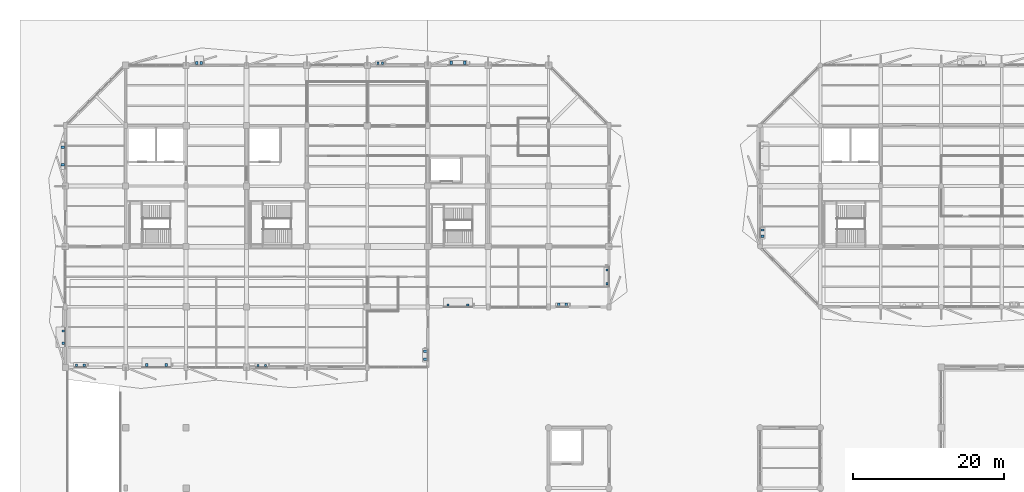
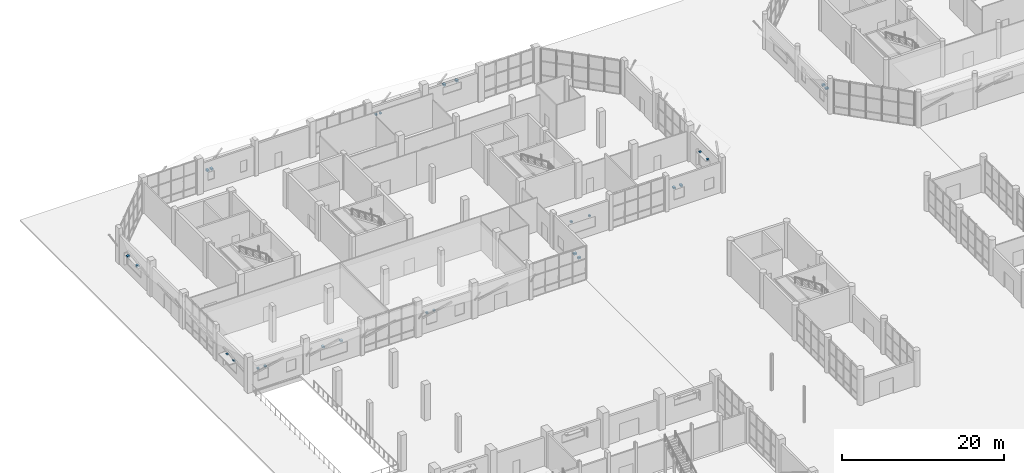
# One storey, part 110 of 123: 26 discrete accessories.
"""IFC4 building model written with IfcOpenShell, lengths in metres."""

from ifc_helpers import new_model, si_unit, direction, frame, origin, origin_2d, place, context, subcontext, project, spatial, rectangle, extrude, material, type_object, element, save


model = new_model("IFC4")

# Units and contexts
model_context = context("Model", 3, precision=1e-05, world=origin(), true_north=direction((0.0, 1.0)))
body_context = subcontext(model_context, "Body", "Model", "MODEL_VIEW")
ifc_project = project(units=[si_unit("LENGTHUNIT", "METRE"), si_unit("AREAUNIT", "SQUARE_METRE"), si_unit("VOLUMEUNIT", "CUBIC_METRE"), si_unit("PLANEANGLEUNIT", "RADIAN"), si_unit("MASSUNIT", "GRAM", prefix="KILO")], contexts=[model_context])

# Site, building, storey
site_placement = place(None, origin())
site = spatial("IfcSite", under=ifc_project, at=site_placement, CompositionType="ELEMENT")
building_placement = place(site_placement, origin())
building = spatial("IfcBuilding", under=site, at=building_placement, Name="Tenunan Teduh Sports Hall", CompositionType="ELEMENT")
storey_placement = place(building_placement, origin())
storey = spatial("IfcBuildingStorey", under=building, at=storey_placement, Name="L00", CompositionType="ELEMENT", Elevation=0.0)

# Discrete accessories
ifc_material_1 = material(Name="Steel S355", Category="steel")
discrete_accessory_type_1 = type_object("IfcDiscreteAccessoryType", Name="BRK-SHD-1", PredefinedType="BRACKET", material=ifc_material_1)
for number, where, z_axis, x_axis, name in (
    (1, (7.489990234375, 78.27490234375, 2.64990234375), (0.0, 0.0, 1.0), (1.0, 0.0, 0.0), "BRK-L00-010-1"),
    (2, (8.510009765625, 78.27490234375, 2.64990234375), (0.0, 0.0, 1.0), (1.0, 0.0, 0.0), "BRK-L00-010-2"),
    (3, (31.514892578125, 78.2548828125, 2.64990234375), (0.0, 0.0, 1.0), (1.0, 0.0, 0.0), "BRK-L00-012-1"),
    (4, (32.534912109375, 78.2548828125, 2.64990234375), (0.0, 0.0, 1.0), (1.0, 0.0, 0.0), "BRK-L00-012-2"),
    (5, (56.7080078125, 86.27001953125, 2.64990234375), (0.0, 0.0, 1.0), (1.0, 0.0, 0.0), "BRK-L00-014-1"),
    (6, (59.2919921875, 86.27001953125, 2.64990234375), (0.0, 0.0, 1.0), (1.0, 0.0, 0.0), "BRK-L00-014-2"),
    (7, (77.72998046875, 89.072021484375, 2.9501953125), (0.0, 0.0, 1.0), (0.0, 1.0, 0.0), "BRK-L00-016-1"),
    (8, (77.72998046875, 90.907958984375, 2.9501953125), (0.0, 0.0, 1.0), (0.0, 1.0, 0.0), "BRK-L00-016-2"),
    (9, (47.39404296875, 118.27490234375, 2.64990234375), (0.0, 0.0, 1.0), (1.0, 0.0, 0.0), "BRK-L00-018-1"),
    (10, (48.006103515625, 118.27490234375, 2.64990234375), (0.0, 0.0, 1.0), (1.0, 0.0, 0.0), "BRK-L00-018-2"),
    (11, (5.72998046875, 81.18408203125, 2.64990234375), (0.0, 0.0, 1.0), (0.0, 1.0, 0.0), "BRK-L00-020-1"),
    (12, (5.72998046875, 82.81591796875, 2.64990234375), (0.0, 0.0, 1.0), (0.0, 1.0, 0.0), "BRK-L00-020-2"),
):
    element("IfcDiscreteAccessory", number, at=place(storey_placement, frame(where, z_axis=z_axis, x_axis=x_axis)), inside=storey, type_object=discrete_accessory_type_1, Name=name, PredefinedType="BRACKET", context=body_context, shape_type="SweptSolid", body=[
        extrude(rectangle(XDim=0.280029296875, YDim=0.300048828125, at=origin_2d()), origin(), (0.0, 0.0, 1.0), 0.219970703125),
    ])
ifc_material_2 = material(Name="Steel S355", Category="steel")
discrete_accessory_type_2 = type_object("IfcDiscreteAccessoryType", Name="BRK-SHD-2", PredefinedType="BRACKET", material=ifc_material_2)
for number, where, z_axis, x_axis, name in (
    (13, (16.778076171875, 78.330078125, 2.6298828125), (0.0, 0.0, 1.0), (1.0, 0.0, 0.0), "BRK-L00-011-1"),
    (14, (19.362060546875, 78.330078125, 2.6298828125), (0.0, 0.0, 1.0), (1.0, 0.0, 0.0), "BRK-L00-011-2"),
    (15, (53.6650390625, 79.090087890625, 2.6298828125), (0.0, 0.0, 1.0), (0.0, 1.0, 0.0), "BRK-L00-013-1"),
    (16, (53.6650390625, 80.110107421875, 2.6298828125), (0.0, 0.0, 1.0), (0.0, 1.0, 0.0), "BRK-L00-013-2"),
    (17, (71.340087890625, 86.31494140625, 2.6298828125), (0.0, 0.0, 1.0), (1.0, 0.0, 0.0), "BRK-L00-015-1"),
    (18, (72.360107421875, 86.31494140625, 2.6298828125), (0.0, 0.0, 1.0), (1.0, 0.0, 0.0), "BRK-L00-015-2"),
    (19, (23.39404296875, 118.31494140625, 2.6298828125), (0.0, 0.0, 1.0), (1.0, 0.0, 0.0), "BRK-L00-017-1"),
    (20, (24.006103515625, 118.31494140625, 2.6298828125), (0.0, 0.0, 1.0), (1.0, 0.0, 0.0), "BRK-L00-017-2"),
    (21, (57.12109375, 118.330078125, 3.68017578125), (0.0, 0.0, 1.0), (1.0, 0.0, 0.0), "BRK-L00-019-1"),
    (22, (58.888916015625, 118.330078125, 3.68017578125), (0.0, 0.0, 1.0), (1.0, 0.0, 0.0), "BRK-L00-019-2"),
    (23, (5.669921875, 104.843994140625, 2.6298828125), (0.0, 0.0, 1.0), (0.0, 1.0, 0.0), "BRK-L00-021-1"),
    (24, (5.669921875, 107.156005859375, 2.6298828125), (0.0, 0.0, 1.0), (0.0, 1.0, 0.0), "BRK-L00-021-2"),
    (25, (98.3349609375, 95.366943359375, 2.6298828125), (0.0, 0.0, 1.0), (0.0, 1.0, 0.0), "BRK-L00-079-1"),
    (26, (98.3349609375, 96.18310546875, 2.6298828125), (0.0, 0.0, 1.0), (0.0, 1.0, 0.0), "BRK-L00-079-2"),
):
    element("IfcDiscreteAccessory", number, at=place(storey_placement, frame(where, z_axis=z_axis, x_axis=x_axis)), inside=storey, type_object=discrete_accessory_type_2, Name=name, PredefinedType="BRACKET", context=body_context, shape_type="SweptSolid", body=[
        extrude(rectangle(XDim=0.320068359375, YDim=0.419921875, at=origin_2d()), origin(), (0.0, 0.0, 1.0), 0.260009765625),
    ])

save(model, "model.ifc")
